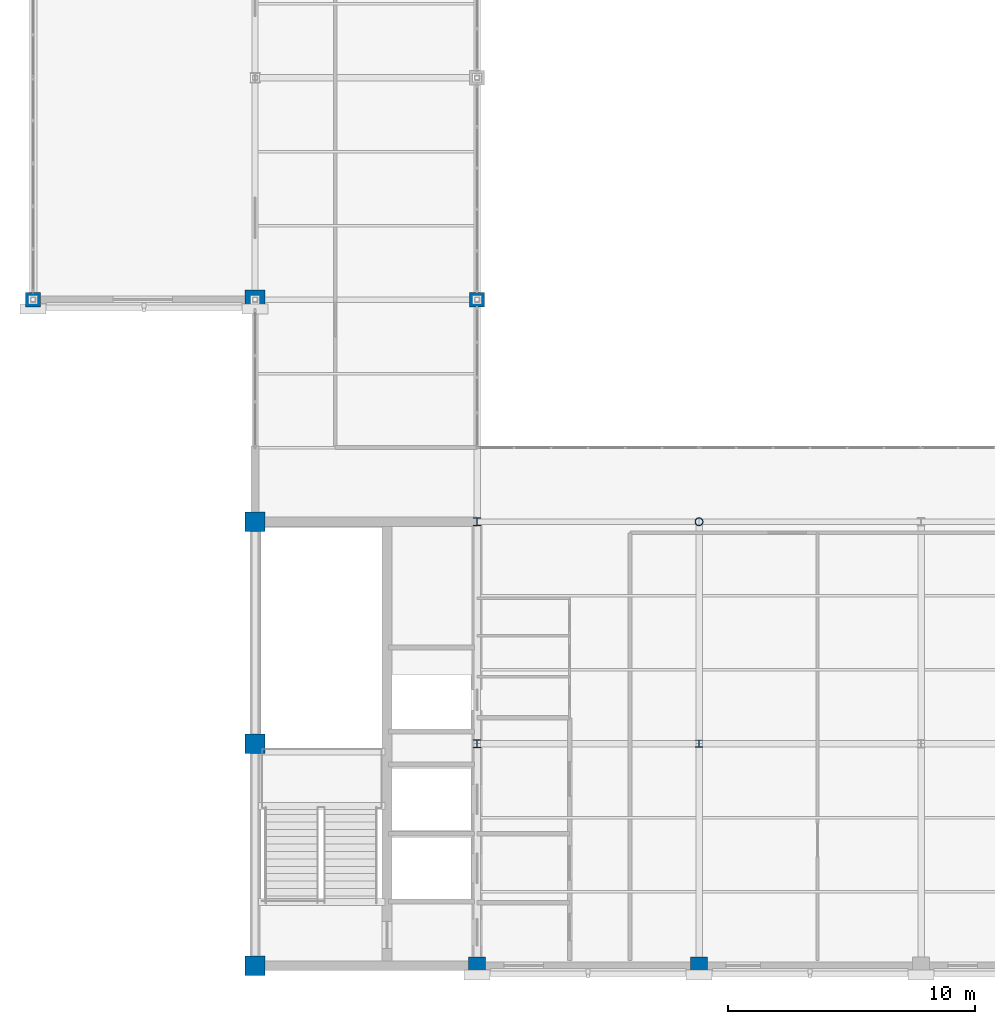
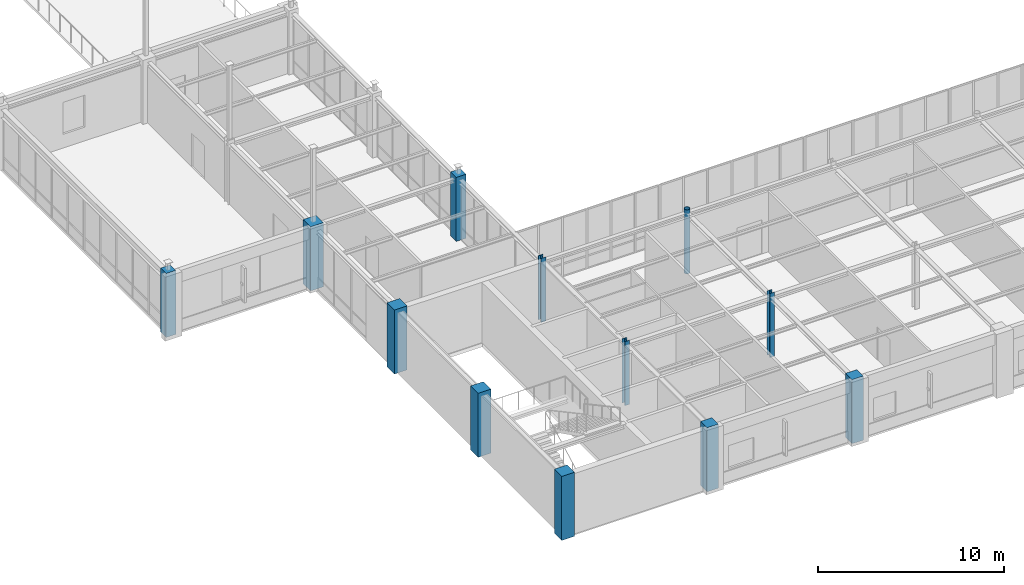
# One storey, part 1 of 36: 12 columns.
"""IFC4 building model written with IfcOpenShell, lengths in metres."""

from ifc_helpers import new_model, si_unit, direction, frame, origin, origin_2d, place, context, subcontext, project, spatial, rectangle, hollow_circle, i_section, extrude, material, material_profile, profile_set, type_object, element, save


model = new_model("IFC4")

# Units and contexts
model_context = context("Model", 3, precision=1e-05, world=origin(), true_north=direction((0.0, 1.0)))
body_context = subcontext(model_context, "Body", "Model", "MODEL_VIEW")
ifc_project = project(units=[si_unit("LENGTHUNIT", "METRE"), si_unit("AREAUNIT", "SQUARE_METRE"), si_unit("VOLUMEUNIT", "CUBIC_METRE"), si_unit("PLANEANGLEUNIT", "RADIAN"), si_unit("MASSUNIT", "GRAM", prefix="KILO")], contexts=[model_context])

# Site, building, storey
site_placement = place(None, origin())
site = spatial("IfcSite", under=ifc_project, at=site_placement, CompositionType="ELEMENT")
building_placement = place(site_placement, origin())
building = spatial("IfcBuilding", under=site, at=building_placement, Name="Lykobir Media Centre", CompositionType="ELEMENT")
storey_placement = place(building_placement, frame((0.0, 0.0, 27.60009765625)))
storey = spatial("IfcBuildingStorey", under=building, at=storey_placement, Name="L06", CompositionType="ELEMENT", Elevation=27.60009765625)

# Columns
ifc_material_1 = material(Name="Concrete C40/50", Category="concrete")
ifc_material_profile_1 = material_profile(ifc_material_1, rectangle(XDim=0.60009765625, YDim=0.60009765625, at=origin_2d()), Name="RC 600x600")
ifc_profile_set_1 = profile_set([ifc_material_profile_1], Name="Concrete C40/50")
column_type_1 = type_object("IfcColumnType", Name="RC-C600", PredefinedType="COLUMN", material=ifc_profile_set_1)
for number, where, z_axis, x_axis, name in (
    (1, (18.0, 27.0, 0.0), (0.0, 0.0, 1.0), (1.0, 0.0, 0.0), "Column COL-L06-0180-0270"),
    (2, (36.0, 27.0, 0.0), (0.0, 0.0, 1.0), (1.0, 0.0, 0.0), "Column COL-L06-0360-0270"),
):
    element("IfcColumn", number, at=place(storey_placement, frame(where, z_axis=z_axis, x_axis=x_axis)), inside=storey, type_object=column_type_1, Name=name, PredefinedType="COLUMN", context=body_context, shape_type="SweptSolid", body=[
        extrude(rectangle(XDim=0.60009765625, YDim=0.60009765625, at=origin_2d()), origin(), (0.0, 0.0, 1.0), 4.199951171875),
    ])
ifc_material_profile_2 = material_profile(ifc_material_1, rectangle(XDim=0.699951171875, YDim=0.699951171875, at=origin_2d()), Name="RC 700x700")
ifc_profile_set_2 = profile_set([ifc_material_profile_2], Name="Concrete C40/50")
column_type_2 = type_object("IfcColumnType", Name="RC-C700-E", PredefinedType="COLUMN", material=ifc_profile_set_2)
for number, where, z_axis, x_axis, name in (
    (3, (36.0, 0.0, 0.0), (0.0, 0.0, 1.0), (1.0, 0.0, 0.0), "Column COL-L06-0360-0000"),
    (4, (45.0, 0.0, 0.0), (0.0, 0.0, 1.0), (1.0, 0.0, 0.0), "Column COL-L06-0450-0000"),
):
    element("IfcColumn", number, at=place(storey_placement, frame(where, z_axis=z_axis, x_axis=x_axis)), inside=storey, type_object=column_type_2, Name=name, PredefinedType="COLUMN", context=body_context, shape_type="SweptSolid", body=[
        extrude(rectangle(XDim=0.699951171875, YDim=0.699951171875, at=origin_2d()), origin(), (0.0, 0.0, 1.0), 4.199951171875),
    ])
ifc_material_profile_3 = material_profile(ifc_material_1, rectangle(XDim=0.800048828125, YDim=0.800048828125, at=origin_2d()), Name="RC 800x800")
ifc_profile_set_3 = profile_set([ifc_material_profile_3], Name="Concrete C40/50")
column_type_3 = type_object("IfcColumnType", Name="RC-C800", PredefinedType="COLUMN", material=ifc_profile_set_3)
for number, where, z_axis, x_axis, name in (
    (5, (27.0, 9.0, 0.0), (0.0, 0.0, 1.0), (1.0, 0.0, 0.0), "Column COL-L06-0270-0090"),
    (6, (27.0, 18.0, 0.0), (0.0, 0.0, 1.0), (1.0, 0.0, 0.0), "Column COL-L06-0270-0180"),
    (7, (27.0, 27.0, 0.0), (0.0, 0.0, 1.0), (1.0, 0.0, 0.0), "Column COL-L06-0270-0270"),
):
    element("IfcColumn", number, at=place(storey_placement, frame(where, z_axis=z_axis, x_axis=x_axis)), inside=storey, type_object=column_type_3, Name=name, PredefinedType="COLUMN", context=body_context, shape_type="SweptSolid", body=[
        extrude(rectangle(XDim=0.800048828125, YDim=0.800048828125, at=origin_2d()), origin(), (0.0, 0.0, 1.0), 4.199951171875),
    ])
ifc_material_profile_4 = material_profile(ifc_material_1, rectangle(XDim=0.800048828125, YDim=0.800048828125, at=origin_2d()), Name="RC 800x800")
ifc_profile_set_4 = profile_set([ifc_material_profile_4], Name="Concrete C40/50")
column_type_4 = type_object("IfcColumnType", Name="RC-C800-E", PredefinedType="COLUMN", material=ifc_profile_set_4)
column_1_placement = place(storey_placement, frame((27.0, 0.0, 0.0), z_axis=(0.0, 0.0, 1.0), x_axis=(1.0, 0.0, 0.0)))
element("IfcColumn", 8, at=column_1_placement, inside=storey, type_object=column_type_4, Name="Column COL-L06-0270-0000", PredefinedType="COLUMN", context=body_context, shape_type="SweptSolid", body=[
    extrude(rectangle(XDim=0.800048828125, YDim=0.800048828125, at=origin_2d()), origin(), (0.0, 0.0, 1.0), 4.199951171875),
])
ifc_material_2 = material(Name="Steel S355", Category="steel")
ifc_material_profile_5 = material_profile(ifc_material_2, hollow_circle(Radius=0.161865234375, WallThickness=0.01611328125, at=origin_2d()), Name="CHS 323.9x16.0")
ifc_profile_set_5 = profile_set([ifc_material_profile_5], Name="Steel S355")
column_type_5 = type_object("IfcColumnType", Name="SC-CHS324", PredefinedType="COLUMN", material=ifc_profile_set_5)
column_2_placement = place(storey_placement, frame((45.0, 18.0, 0.0), z_axis=(0.0, 0.0, 1.0), x_axis=(1.0, 0.0, 0.0)))
element("IfcColumn", 9, at=column_2_placement, inside=storey, type_object=column_type_5, Name="Column COL-L06-0450-0180", PredefinedType="COLUMN", context=body_context, shape_type="SweptSolid", body=[
    extrude(hollow_circle(Radius=0.161865234375, WallThickness=0.01611328125, at=origin_2d()), origin(), (0.0, 0.0, 1.0), 4.199951171875),
])
ifc_material_profile_6 = material_profile(ifc_material_2, i_section(OverallWidth=0.300048828125, OverallDepth=0.300048828125, WebThickness=0.010986328125, FlangeThickness=0.01904296875, at=origin_2d()), Name="HEB 300")
ifc_profile_set_6 = profile_set([ifc_material_profile_6], Name="Steel S355")
column_type_6 = type_object("IfcColumnType", Name="SC-HEB300", PredefinedType="COLUMN", material=ifc_profile_set_6)
column_3_placement = place(storey_placement, frame((45.0, 9.0, 0.0), z_axis=(0.0, 0.0, 1.0), x_axis=(1.0, 0.0, 0.0)))
element("IfcColumn", 10, at=column_3_placement, inside=storey, type_object=column_type_6, Name="Column COL-L06-0450-0090", PredefinedType="COLUMN", context=body_context, shape_type="SweptSolid", body=[
    extrude(i_section(OverallWidth=0.300048828125, OverallDepth=0.300048828125, WebThickness=0.010986328125, FlangeThickness=0.01904296875, at=origin_2d()), origin(), (0.0, 0.0, 1.0), 4.199951171875),
])
ifc_material_profile_7 = material_profile(ifc_material_2, i_section(OverallWidth=0.300048828125, OverallDepth=0.320068359375, WebThickness=0.011474609375, FlangeThickness=0.0205078125, at=origin_2d()), Name="HEB 320")
ifc_profile_set_7 = profile_set([ifc_material_profile_7], Name="Steel S355")
column_type_7 = type_object("IfcColumnType", Name="SC-HEB320", PredefinedType="COLUMN", material=ifc_profile_set_7)
for number, where, z_axis, x_axis, name in (
    (11, (36.0, 9.0, 0.0), (0.0, 0.0, 1.0), (1.0, 0.0, 0.0), "Column COL-L06-0360-0090"),
    (12, (36.0, 18.0, 0.0), (0.0, 0.0, 1.0), (1.0, 0.0, 0.0), "Column COL-L06-0360-0180"),
):
    element("IfcColumn", number, at=place(storey_placement, frame(where, z_axis=z_axis, x_axis=x_axis)), inside=storey, type_object=column_type_7, Name=name, PredefinedType="COLUMN", context=body_context, shape_type="SweptSolid", body=[
        extrude(i_section(OverallWidth=0.300048828125, OverallDepth=0.320068359375, WebThickness=0.011474609375, FlangeThickness=0.0205078125, at=origin_2d()), origin(), (0.0, 0.0, 1.0), 4.199951171875),
    ])

save(model, "model.ifc")
